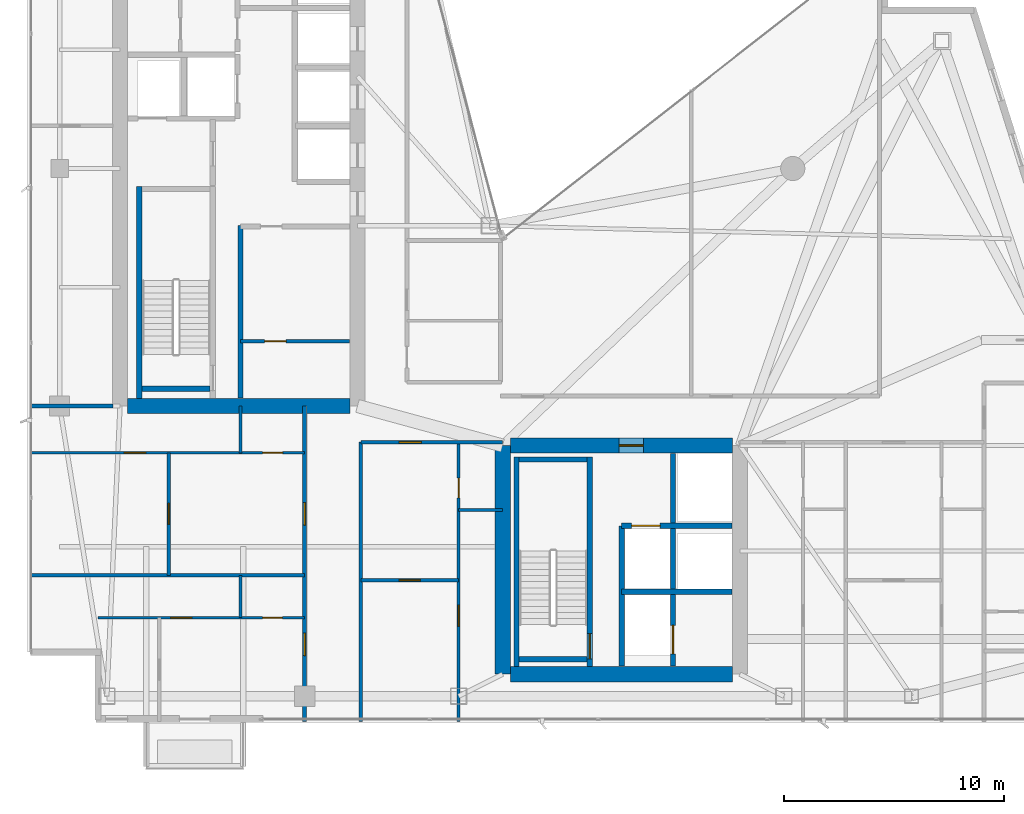
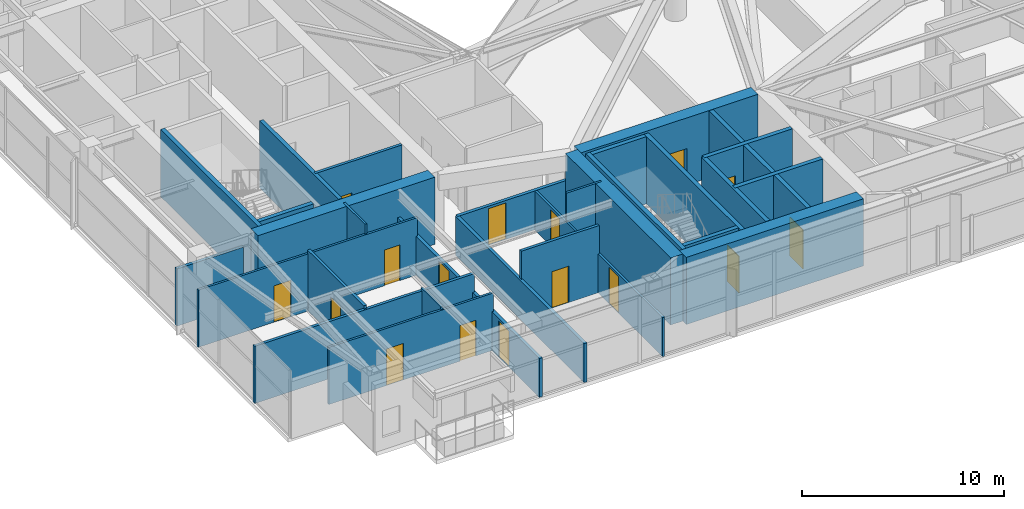
# One storey, part 23 of 29: 29 walls, 16 doors, 16 openings.
"""IFC4 building model written with IfcOpenShell, lengths in metres."""

from ifc_helpers import new_model, si_unit, direction, frame, frame_2d, origin, place, context, subcontext, project, spatial, rectangle, extrude, material, layer, layer_set, type_object, element, fill, save


model = new_model("IFC4")

# Units and contexts
model_context = context("Model", 3, precision=1e-05, world=origin(), true_north=direction((0.0, 1.0)))
body_context = subcontext(model_context, "Body", "Model", "MODEL_VIEW")
ifc_project = project(units=[si_unit("LENGTHUNIT", "METRE"), si_unit("AREAUNIT", "SQUARE_METRE"), si_unit("VOLUMEUNIT", "CUBIC_METRE"), si_unit("PLANEANGLEUNIT", "RADIAN"), si_unit("MASSUNIT", "GRAM", prefix="KILO")], contexts=[model_context])

# Site, building, storey
site_placement = place(None, origin())
site = spatial("IfcSite", under=ifc_project, at=site_placement, CompositionType="ELEMENT")
building_placement = place(site_placement, origin())
building = spatial("IfcBuilding", under=site, at=building_placement, Name="Calvorn Quay Hotel", CompositionType="ELEMENT")
storey_placement = place(building_placement, frame((0.0, 0.0, 214.800048828125)))
storey = spatial("IfcBuildingStorey", under=building, at=storey_placement, Name="L53", CompositionType="ELEMENT", Elevation=214.800048828125)

# Walls
ifc_material_1 = material(Name="Concrete C45", Category="concrete")
ifc_layer_1 = layer(ifc_material_1, 0.699951171875)
ifc_layer_set_1 = layer_set([ifc_layer_1], Name="WL-CORE-700")
wall_type_1 = type_object("IfcWallType", Name="WL-CORE-700", PredefinedType="SHEAR", material=ifc_layer_set_1)
wall_1_placement = place(storey_placement, frame((4.550048828125, 16.800048828125, 0.0), z_axis=(0.0, 0.0, 1.0), x_axis=(1.0, 0.0, 0.0)))
element("IfcWall", 1, at=wall_1_placement, inside=storey, type_object=wall_type_1, Name="West Core Shear Wall S (L53)", PredefinedType="SHEAR", context=body_context, shape_type="SweptSolid", body=[
    extrude(rectangle(XDim=10.099853515625, YDim=0.699951171875, at=frame_2d((5.0498046875, 0.0))), origin(), (0.0, 0.0, 1.0), 4.050048828125),
])
wall_2_placement = place(storey_placement, frame((21.60009765625, 4.60009765625, 0.0), z_axis=(0.0, 0.0, 1.0), x_axis=(0.0, 1.0, 0.0)))
element("IfcWall", 2, at=wall_2_placement, inside=storey, type_object=wall_type_1, Name="East Core Shear Wall W (L53)", PredefinedType="SHEAR", context=body_context, shape_type="SweptSolid", body=[
    extrude(rectangle(XDim=10.39990234375, YDim=0.699951171875, at=frame_2d((5.199951171875, 0.0))), origin(), (0.0, 0.0, 1.0), 4.050048828125),
])

# Wall, opening, door
wall_3_placement = place(storey_placement, frame((21.949951171875, 15.0, 0.0), z_axis=(0.0, 0.0, 1.0), x_axis=(1.0, 0.0, 0.0)))
wall_3 = element("IfcWall", 3, at=wall_3_placement, inside=storey, type_object=wall_type_1, Name="East Core Shear Wall N (L53)", PredefinedType="SHEAR", context=body_context, shape_type="SweptSolid", body=[
    extrude(rectangle(XDim=10.10009765625, YDim=0.699951171875, at=frame_2d((5.050048828125, 0.0))), origin(), (0.0, 0.0, 1.0), 4.050048828125),
])
opening_1_placement = place(wall_3_placement, frame((4.949951171875, 0.0, 0.0)))
opening_1 = element("IfcOpeningElement", 4, at=opening_1_placement, cuts=wall_3, Name="Opening D-L53-FLE", PredefinedType="OPENING", context=body_context, shape_type="SweptSolid", body=[
    extrude(rectangle(XDim=1.10009765625, YDim=2.199951171875, at=frame_2d((0.550048828125, 1.10009765625))), frame((0.0, 0.35986328125, 0.0), z_axis=(0.0, -1.0, 0.0), x_axis=(1.0, 0.0, 0.0)), (0.0, 0.0, 1.0), 0.719970703125),
])
ifc_material_2 = material(Name="Smoke-Sealed Steel Class A Fire Door", Category="steel")
door_type_1 = type_object("IfcDoorType", Name="DR-FFLOBBY-1100", OperationType="NOTDEFINED", PredefinedType="DOOR", material=ifc_material_2)
door_1_placement = place(opening_1_placement, origin())
door_1 = element("IfcDoor", 5, at=door_1_placement, inside=storey, type_object=door_type_1, Name="East Firefighting Lobby Fire Door (L53)", OperationType="SINGLE_SWING_LEFT", OverallHeight=2.199951171875, OverallWidth=1.10009765625, PredefinedType="DOOR", context=body_context, shape_type="SweptSolid", body=[
    extrude(rectangle(XDim=1.10009765625, YDim=2.199951171875, at=frame_2d((0.550048828125, 1.10009765625))), frame((0.0, 0.02490234375, 0.0), z_axis=(0.0, -1.0, 0.0), x_axis=(1.0, 0.0, 0.0)), (0.0, 0.0, 1.0), 0.050048828125),
])
fill(opening_1, door_1)

# Walls
wall_4_placement = place(storey_placement, frame((21.949951171875, 4.60009765625, 0.0), z_axis=(0.0, 0.0, 1.0), x_axis=(1.0, 0.0, 0.0)))
element("IfcWall", 6, at=wall_4_placement, inside=storey, type_object=wall_type_1, Name="East Core Shear Wall S (L53)", PredefinedType="SHEAR", context=body_context, shape_type="SweptSolid", body=[
    extrude(rectangle(XDim=10.10009765625, YDim=0.699951171875, at=frame_2d((5.050048828125, 0.0))), origin(), (0.0, 0.0, 1.0), 4.050048828125),
])
ifc_material_3 = material(Name="Acoustic Fireboard Steel-Stud Partition", Category="steel")
ifc_layer_2 = layer(ifc_material_3, 0.179931640625)
ifc_layer_set_2 = layer_set([ifc_layer_2], Name="WL-CORR-FIRE-180")
wall_type_2 = type_object("IfcWallType", Name="WL-CORR-FIRE-180", PredefinedType="PARTITIONING", material=ifc_layer_set_2)
wall_5_placement = place(storey_placement, frame((0.080078125, 16.800048828125, 0.0), z_axis=(0.0, 0.0, 1.0), x_axis=(1.0, 0.0, 0.0)))
element("IfcWall", 7, at=wall_5_placement, inside=storey, type_object=wall_type_2, Name="Partition Wall L53-WL-WBAY-S-WALL", PredefinedType="PARTITIONING", context=body_context, shape_type="SweptSolid", body=[
    extrude(rectangle(XDim=3.7998046875, YDim=0.179931640625, at=frame_2d((1.89990234375, 0.0))), origin(), (0.0, 0.0, 1.0), 3.449951171875),
])

# Wall, openings, doors
wall_6_placement = place(storey_placement, frame((12.60009765625, 2.43994140625, 0.0), z_axis=(0.0, 0.0, 1.0), x_axis=(0.0, 1.0, 0.0)))
wall_6 = element("IfcWall", 8, at=wall_6_placement, inside=storey, type_object=wall_type_2, Name="Partition Wall L53-WL-CORR-SW-LEG-W", PredefinedType="PARTITIONING", context=body_context, shape_type="SweptSolid", body=[
    extrude(rectangle(XDim=14.360107421875, YDim=0.179931640625, at=frame_2d((7.18017578125, 0.0))), origin(), (0.0, 0.0, 1.0), 2.349853515625),
])
opening_2_placement = place(wall_6_placement, frame((3.010009765625, 0.0, 0.0)))
opening_2 = element("IfcOpeningElement", 9, at=opening_2_placement, cuts=wall_6, Name="Opening D-L53-U01", PredefinedType="OPENING", context=body_context, shape_type="SweptSolid", body=[
    extrude(rectangle(XDim=1.02001953125, YDim=2.199951171875, at=frame_2d((0.510009765625, 1.10009765625))), frame((0.0, 0.099853515625, 0.0), z_axis=(0.0, -1.0, 0.0), x_axis=(1.0, 0.0, 0.0)), (0.0, 0.0, 1.0), 0.199951171875),
])
opening_3_placement = place(wall_6_placement, frame((8.93994140625, 0.0, 0.0)))
opening_3 = element("IfcOpeningElement", 10, at=opening_3_placement, cuts=wall_6, Name="Opening D-L53-U02", PredefinedType="OPENING", context=body_context, shape_type="SweptSolid", body=[
    extrude(rectangle(XDim=1.02001953125, YDim=2.199951171875, at=frame_2d((0.510009765625, 1.10009765625))), frame((0.0, 0.099853515625, 0.0), z_axis=(0.0, -1.0, 0.0), x_axis=(1.0, 0.0, 0.0)), (0.0, 0.0, 1.0), 0.199951171875),
])
ifc_material_4 = material(Name="Solid-Core Walnut Veneer Hotel Fire Door")
door_type_2 = type_object("IfcDoorType", Name="DR-GUEST-ENTRY-1020", OperationType="NOTDEFINED", PredefinedType="DOOR", material=ifc_material_4)
door_2_placement = place(opening_2_placement, origin())
door_2 = element("IfcDoor", 11, at=door_2_placement, inside=storey, type_object=door_type_2, Name="South-West Unit Door U01 (L53)", OperationType="SINGLE_SWING_LEFT", OverallHeight=2.199951171875, OverallWidth=1.02001953125, PredefinedType="DOOR", context=body_context, shape_type="SweptSolid", body=[
    extrude(rectangle(XDim=1.02001953125, YDim=2.199951171875, at=frame_2d((0.510009765625, 1.10009765625))), frame((0.0, 0.02490234375, 0.0), z_axis=(0.0, -1.0, 0.0), x_axis=(1.0, 0.0, 0.0)), (0.0, 0.0, 1.0), 0.050048828125),
])
fill(opening_2, door_2)
door_3_placement = place(opening_3_placement, origin())
door_3 = element("IfcDoor", 12, at=door_3_placement, inside=storey, type_object=door_type_2, Name="South-West Unit Door U02 (L53)", OperationType="SINGLE_SWING_RIGHT", OverallHeight=2.199951171875, OverallWidth=1.02001953125, PredefinedType="DOOR", context=body_context, shape_type="SweptSolid", body=[
    extrude(rectangle(XDim=1.02001953125, YDim=2.199951171875, at=frame_2d((0.510009765625, 1.10009765625))), frame((0.0, 0.02490234375, 0.0), z_axis=(0.0, -1.0, 0.0), x_axis=(1.0, 0.0, 0.0)), (0.0, 0.0, 1.0), 0.050048828125),
])
fill(opening_3, door_3)

# Wall
wall_7_placement = place(storey_placement, frame((15.14990234375, 2.43994140625, 0.0), z_axis=(0.0, 0.0, 1.0), x_axis=(0.0, 1.0, 0.0)))
element("IfcWall", 13, at=wall_7_placement, inside=storey, type_object=wall_type_2, Name="Partition Wall L53-WL-CORR-SW-W", PredefinedType="PARTITIONING", context=body_context, shape_type="SweptSolid", body=[
    extrude(rectangle(XDim=12.7099609375, YDim=0.179931640625, at=frame_2d((6.35498046875, 0.0))), origin(), (0.0, 0.0, 1.0), 2.349853515625),
])

# Wall, opening, door
wall_8_placement = place(storey_placement, frame((15.14990234375, 15.14990234375, 0.0), z_axis=(0.0, 0.0, 1.0), x_axis=(1.0, 0.0, 0.0)))
wall_8 = element("IfcWall", 14, at=wall_8_placement, inside=storey, type_object=wall_type_2, Name="Partition Wall L53-WL-SC-CORR-S", PredefinedType="PARTITIONING", context=body_context, shape_type="SweptSolid", body=[
    extrude(rectangle(XDim=6.4501953125, YDim=0.179931640625, at=frame_2d((3.22509765625, 0.0))), origin(), (0.0, 0.0, 1.0), 2.349853515625),
])
opening_4_placement = place(wall_8_placement, frame((1.739990234375, 0.0, 0.0)))
opening_4 = element("IfcOpeningElement", 15, at=opening_4_placement, cuts=wall_8, Name="Opening D-L53-U03", PredefinedType="OPENING", context=body_context, shape_type="SweptSolid", body=[
    extrude(rectangle(XDim=1.02001953125, YDim=2.199951171875, at=frame_2d((0.510009765625, 1.10009765625))), frame((0.0, 0.099853515625, 0.0), z_axis=(0.0, -1.0, 0.0), x_axis=(1.0, 0.0, 0.0)), (0.0, 0.0, 1.0), 0.199951171875),
])
door_4_placement = place(opening_4_placement, origin())
door_4 = element("IfcDoor", 16, at=door_4_placement, inside=storey, type_object=door_type_2, Name="Harbour Central Unit Door (L53)", OperationType="SINGLE_SWING_LEFT", OverallHeight=2.199951171875, OverallWidth=1.02001953125, PredefinedType="DOOR", context=body_context, shape_type="SweptSolid", body=[
    extrude(rectangle(XDim=1.02001953125, YDim=2.199951171875, at=frame_2d((0.510009765625, 1.10009765625))), frame((0.0, 0.02490234375, 0.0), z_axis=(0.0, -1.0, 0.0), x_axis=(1.0, 0.0, 0.0)), (0.0, 0.0, 1.0), 0.050048828125),
])
fill(opening_4, door_4)

# Wall
ifc_material_5 = material(Name="Moisture-Resistant Tile-Backed Partition")
ifc_layer_3 = layer(ifc_material_5, 0.125)
ifc_layer_set_3 = layer_set([ifc_layer_3], Name="WL-ENSUITE-125")
wall_type_3 = type_object("IfcWallType", Name="WL-ENSUITE-125", PredefinedType="PARTITIONING", material=ifc_layer_set_3)
wall_9_placement = place(storey_placement, frame((9.679931640625, 7.169921875, 0.0), z_axis=(0.0, 0.0, 1.0), x_axis=(0.0, 1.0, 0.0)))
element("IfcWall", 17, at=wall_9_placement, inside=storey, type_object=wall_type_3, Name="Partition Wall L53-WL-U01-BDV", PredefinedType="PARTITIONING", context=body_context, shape_type="SweptSolid", body=[
    extrude(rectangle(XDim=1.93017578125, YDim=0.125, at=frame_2d((0.965087890625, 0.0))), origin(), (0.0, 0.0, 1.0), 3.599853515625),
])

# Wall, openings, doors
wall_10_placement = place(storey_placement, frame((3.199951171875, 7.169921875, 0.0), z_axis=(0.0, 0.0, 1.0), x_axis=(1.0, 0.0, 0.0)))
wall_10 = element("IfcWall", 18, at=wall_10_placement, inside=storey, type_object=wall_type_3, Name="Partition Wall L53-WL-U01-BH", PredefinedType="PARTITIONING", context=body_context, shape_type="SweptSolid", body=[
    extrude(rectangle(XDim=9.400146484375, YDim=0.125, at=frame_2d((4.7001953125, 0.0))), origin(), (0.0, 0.0, 1.0), 3.449951171875),
])
opening_5_placement = place(wall_10_placement, frame((3.300048828125, 0.0, 0.0)))
opening_5 = element("IfcOpeningElement", 19, at=opening_5_placement, cuts=wall_10, Name="Opening D-L53-S01", PredefinedType="OPENING", context=body_context, shape_type="SweptSolid", body=[
    extrude(rectangle(XDim=0.9599609375, YDim=2.199951171875, at=frame_2d((0.47998046875, 1.10009765625))), frame((0.0, 0.072509765625, 0.0), z_axis=(0.0, -1.0, 0.0), x_axis=(1.0, 0.0, 0.0)), (0.0, 0.0, 1.0), 0.14501953125),
])
opening_6_placement = place(wall_10_placement, frame((7.489990234375, 0.0, 0.0)))
opening_6 = element("IfcOpeningElement", 20, at=opening_6_placement, cuts=wall_10, Name="Opening D-L53-E01", PredefinedType="OPENING", context=body_context, shape_type="SweptSolid", body=[
    extrude(rectangle(XDim=0.89990234375, YDim=2.14990234375, at=frame_2d((0.449951171875, 1.074951171875))), frame((0.0, 0.072509765625, 0.0), z_axis=(0.0, -1.0, 0.0), x_axis=(1.0, 0.0, 0.0)), (0.0, 0.0, 1.0), 0.14501953125),
])
ifc_material_6 = material(Name="Moisture-Sealed Timber En-Suite Door", Category="wood")
door_type_3 = type_object("IfcDoorType", Name="DR-ENSUITE-900", OperationType="NOTDEFINED", PredefinedType="DOOR", material=ifc_material_6)
door_5_placement = place(opening_6_placement, origin())
door_5 = element("IfcDoor", 21, at=door_5_placement, inside=storey, type_object=door_type_3, Name="En-Suite Door 01", OperationType="SINGLE_SWING_RIGHT", OverallHeight=2.14990234375, OverallWidth=0.89990234375, PredefinedType="DOOR", context=body_context, shape_type="SweptSolid", body=[
    extrude(rectangle(XDim=0.89990234375, YDim=2.14990234375, at=frame_2d((0.449951171875, 1.074951171875))), frame((0.0, 0.02490234375, 0.0), z_axis=(0.0, -1.0, 0.0), x_axis=(1.0, 0.0, 0.0)), (0.0, 0.0, 1.0), 0.050048828125),
])
fill(opening_6, door_5)
ifc_material_7 = material(Name="Solid Timber Internal Suite Door", Category="wood")
door_type_4 = type_object("IfcDoorType", Name="DR-SUITE-INT-960", OperationType="NOTDEFINED", PredefinedType="DOOR", material=ifc_material_7)
door_6_placement = place(opening_5_placement, origin())
door_6 = element("IfcDoor", 22, at=door_6_placement, inside=storey, type_object=door_type_4, Name="Walk-In Wardrobe Door 01", OperationType="SINGLE_SWING_LEFT", OverallHeight=2.199951171875, OverallWidth=0.9599609375, PredefinedType="DOOR", context=body_context, shape_type="SweptSolid", body=[
    extrude(rectangle(XDim=0.9599609375, YDim=2.199951171875, at=frame_2d((0.47998046875, 1.10009765625))), frame((0.0, 0.02490234375, 0.0), z_axis=(0.0, -1.0, 0.0), x_axis=(1.0, 0.0, 0.0)), (0.0, 0.0, 1.0), 0.050048828125),
])
fill(opening_5, door_6)

# Wall
wall_11_placement = place(storey_placement, frame((9.679931640625, 14.669921875, 0.0), z_axis=(0.0, 0.0, 1.0), x_axis=(0.0, 1.0, 0.0)))
element("IfcWall", 23, at=wall_11_placement, inside=storey, type_object=wall_type_3, Name="Partition Wall L53-WL-U02-BDV", PredefinedType="PARTITIONING", context=body_context, shape_type="SweptSolid", body=[
    extrude(rectangle(XDim=2.130126953125, YDim=0.125, at=frame_2d((1.06494140625, 0.0))), origin(), (0.0, 0.0, 1.0), 4.050048828125),
])

# Wall, openings, doors
wall_12_placement = place(storey_placement, frame((0.080078125, 14.669921875, 0.0), z_axis=(0.0, 0.0, 1.0), x_axis=(1.0, 0.0, 0.0)))
wall_12 = element("IfcWall", 24, at=wall_12_placement, inside=storey, type_object=wall_type_3, Name="Partition Wall L53-WL-U02-BH", PredefinedType="PARTITIONING", context=body_context, shape_type="SweptSolid", body=[
    extrude(rectangle(XDim=12.52001953125, YDim=0.125, at=frame_2d((6.260009765625, 0.0))), origin(), (0.0, 0.0, 1.0), 3.449951171875),
])
opening_7_placement = place(wall_12_placement, frame((4.320068359375, 0.0, 0.0)))
opening_7 = element("IfcOpeningElement", 25, at=opening_7_placement, cuts=wall_12, Name="Opening D-L53-S02", PredefinedType="OPENING", context=body_context, shape_type="SweptSolid", body=[
    extrude(rectangle(XDim=0.9599609375, YDim=2.199951171875, at=frame_2d((0.47998046875, 1.10009765625))), frame((0.0, 0.072509765625, 0.0), z_axis=(0.0, -1.0, 0.0), x_axis=(1.0, 0.0, 0.0)), (0.0, 0.0, 1.0), 0.14501953125),
])
opening_8_placement = place(wall_12_placement, frame((10.610107421875, 0.0, 0.0)))
opening_8 = element("IfcOpeningElement", 26, at=opening_8_placement, cuts=wall_12, Name="Opening D-L53-E02", PredefinedType="OPENING", context=body_context, shape_type="SweptSolid", body=[
    extrude(rectangle(XDim=0.89990234375, YDim=2.14990234375, at=frame_2d((0.449951171875, 1.074951171875))), frame((0.0, 0.072509765625, 0.0), z_axis=(0.0, -1.0, 0.0), x_axis=(1.0, 0.0, 0.0)), (0.0, 0.0, 1.0), 0.14501953125),
])
door_7_placement = place(opening_8_placement, origin())
door_7 = element("IfcDoor", 27, at=door_7_placement, inside=storey, type_object=door_type_3, Name="En-Suite Door 02", OperationType="SINGLE_SWING_RIGHT", OverallHeight=2.14990234375, OverallWidth=0.89990234375, PredefinedType="DOOR", context=body_context, shape_type="SweptSolid", body=[
    extrude(rectangle(XDim=0.89990234375, YDim=2.14990234375, at=frame_2d((0.449951171875, 1.074951171875))), frame((0.0, 0.02490234375, 0.0), z_axis=(0.0, -1.0, 0.0), x_axis=(1.0, 0.0, 0.0)), (0.0, 0.0, 1.0), 0.050048828125),
])
fill(opening_8, door_7)
door_8_placement = place(opening_7_placement, origin())
door_8 = element("IfcDoor", 28, at=door_8_placement, inside=storey, type_object=door_type_4, Name="Walk-In Wardrobe Door 02", OperationType="SINGLE_SWING_LEFT", OverallHeight=2.199951171875, OverallWidth=0.9599609375, PredefinedType="DOOR", context=body_context, shape_type="SweptSolid", body=[
    extrude(rectangle(XDim=0.9599609375, YDim=2.199951171875, at=frame_2d((0.47998046875, 1.10009765625))), frame((0.0, 0.02490234375, 0.0), z_axis=(0.0, -1.0, 0.0), x_axis=(1.0, 0.0, 0.0)), (0.0, 0.0, 1.0), 0.050048828125),
])
fill(opening_7, door_8)

# Wall
wall_13_placement = place(storey_placement, frame((19.60009765625, 12.070068359375, 0.0), z_axis=(0.0, 0.0, 1.0), x_axis=(1.0, 0.0, 0.0)))
element("IfcWall", 29, at=wall_13_placement, inside=storey, type_object=wall_type_3, Name="Partition Wall L53-WL-U03-BDV", PredefinedType="PARTITIONING", context=body_context, shape_type="SweptSolid", body=[
    extrude(rectangle(XDim=2.0, YDim=0.125, at=frame_2d((1.0, 0.0))), origin(), (0.0, 0.0, 1.0), 4.050048828125),
])

# Wall, openings, doors
wall_14_placement = place(storey_placement, frame((19.60009765625, 2.43994140625, 0.0), z_axis=(0.0, 0.0, 1.0), x_axis=(0.0, 1.0, 0.0)))
wall_14 = element("IfcWall", 30, at=wall_14_placement, inside=storey, type_object=wall_type_3, Name="Partition Wall L53-WL-U03-BV", PredefinedType="PARTITIONING", context=body_context, shape_type="SweptSolid", body=[
    extrude(rectangle(XDim=12.7099609375, YDim=0.125, at=frame_2d((6.35498046875, 0.0))), origin(), (0.0, 0.0, 1.0), 2.349853515625),
])
opening_9_placement = place(wall_14_placement, frame((4.340087890625, 0.0, 0.0)))
opening_9 = element("IfcOpeningElement", 31, at=opening_9_placement, cuts=wall_14, Name="Opening D-L53-S03", PredefinedType="OPENING", context=body_context, shape_type="SweptSolid", body=[
    extrude(rectangle(XDim=0.9599609375, YDim=2.199951171875, at=frame_2d((0.47998046875, 1.10009765625))), frame((0.0, 0.072509765625, 0.0), z_axis=(0.0, -1.0, 0.0), x_axis=(1.0, 0.0, 0.0)), (0.0, 0.0, 1.0), 0.14501953125),
])
opening_10_placement = place(wall_14_placement, frame((10.179931640625, 0.0, 0.0)))
opening_10 = element("IfcOpeningElement", 32, at=opening_10_placement, cuts=wall_14, Name="Opening D-L53-E03", PredefinedType="OPENING", context=body_context, shape_type="SweptSolid", body=[
    extrude(rectangle(XDim=0.89990234375, YDim=2.14990234375, at=frame_2d((0.449951171875, 1.074951171875))), frame((0.0, 0.072509765625, 0.0), z_axis=(0.0, -1.0, 0.0), x_axis=(1.0, 0.0, 0.0)), (0.0, 0.0, 1.0), 0.14501953125),
])
door_9_placement = place(opening_10_placement, origin())
door_9 = element("IfcDoor", 33, at=door_9_placement, inside=storey, type_object=door_type_3, Name="En-Suite Door 03", OperationType="SINGLE_SWING_RIGHT", OverallHeight=2.14990234375, OverallWidth=0.89990234375, PredefinedType="DOOR", context=body_context, shape_type="SweptSolid", body=[
    extrude(rectangle(XDim=0.89990234375, YDim=2.14990234375, at=frame_2d((0.449951171875, 1.074951171875))), frame((0.0, 0.02490234375, 0.0), z_axis=(0.0, -1.0, 0.0), x_axis=(1.0, 0.0, 0.0)), (0.0, 0.0, 1.0), 0.050048828125),
])
fill(opening_10, door_9)
door_10_placement = place(opening_9_placement, origin())
door_10 = element("IfcDoor", 34, at=door_10_placement, inside=storey, type_object=door_type_4, Name="Walk-In Wardrobe Door 03", OperationType="SINGLE_SWING_LEFT", OverallHeight=2.199951171875, OverallWidth=0.9599609375, PredefinedType="DOOR", context=body_context, shape_type="SweptSolid", body=[
    extrude(rectangle(XDim=0.9599609375, YDim=2.199951171875, at=frame_2d((0.47998046875, 1.10009765625))), frame((0.0, 0.02490234375, 0.0), z_axis=(0.0, -1.0, 0.0), x_axis=(1.0, 0.0, 0.0)), (0.0, 0.0, 1.0), 0.050048828125),
])
fill(opening_9, door_10)

# Wall, opening, door
ifc_material_8 = material(Name="Double-Stud Acoustic Gypsum Partition")
ifc_layer_4 = layer(ifc_material_8, 0.159912109375)
ifc_layer_set_4 = layer_set([ifc_layer_4], Name="WL-INTERSUITE-160")
wall_type_4 = type_object("IfcWallType", Name="WL-INTERSUITE-160", PredefinedType="PARTITIONING", material=ifc_layer_set_4)
wall_15_placement = place(storey_placement, frame((9.679931640625, 19.75, 0.0), z_axis=(0.0, 0.0, 1.0), x_axis=(1.0, 0.0, 0.0)))
wall_15 = element("IfcWall", 35, at=wall_15_placement, inside=storey, type_object=wall_type_4, Name="Partition Wall L53-WL-CWW-FR-SPLIT", PredefinedType="PARTITIONING", context=body_context, shape_type="SweptSolid", body=[
    extrude(rectangle(XDim=4.949951171875, YDim=0.159912109375, at=frame_2d((2.47509765625, 0.0))), origin(), (0.0, 0.0, 1.0), 4.050048828125),
])
opening_11_placement = place(wall_15_placement, frame((1.10009765625, 0.0, 0.0)))
opening_11 = element("IfcOpeningElement", 36, at=opening_11_placement, cuts=wall_15, Name="Opening D-L53-FRL1", PredefinedType="OPENING", context=body_context, shape_type="SweptSolid", body=[
    extrude(rectangle(XDim=0.97998046875, YDim=2.14990234375, at=frame_2d((0.489990234375, 1.074951171875))), frame((0.0, 0.08984375, 0.0), z_axis=(0.0, -1.0, 0.0), x_axis=(1.0, 0.0, 0.0)), (0.0, 0.0, 1.0), 0.179931640625),
])
ifc_material_9 = material(Name="Painted Steel Housekeeping/Riser Fire Door", Category="steel")
door_type_5 = type_object("IfcDoorType", Name="DR-SERVICE-980", OperationType="NOTDEFINED", PredefinedType="DOOR", material=ifc_material_9)
door_11_placement = place(opening_11_placement, origin())
door_11 = element("IfcDoor", 37, at=door_11_placement, inside=storey, type_object=door_type_5, Name="Linen Store Room Door (L53)", OperationType="SINGLE_SWING_LEFT", OverallHeight=2.14990234375, OverallWidth=0.97998046875, PredefinedType="DOOR", context=body_context, shape_type="SweptSolid", body=[
    extrude(rectangle(XDim=0.97998046875, YDim=2.14990234375, at=frame_2d((0.489990234375, 1.074951171875))), frame((0.0, 0.02490234375, 0.0), z_axis=(0.0, -1.0, 0.0), x_axis=(1.0, 0.0, 0.0)), (0.0, 0.0, 1.0), 0.050048828125),
])
fill(opening_11, door_11)

wall_16_placement = place(storey_placement, frame((6.419921875, 9.10009765625, 0.0), z_axis=(0.0, 0.0, 1.0), x_axis=(0.0, 1.0, 0.0)))
wall_16 = element("IfcWall", 38, at=wall_16_placement, inside=storey, type_object=wall_type_4, Name="Partition Wall L53-WL-U02-MSP", PredefinedType="PARTITIONING", context=body_context, shape_type="SweptSolid", body=[
    extrude(rectangle(XDim=5.56982421875, YDim=0.159912109375, at=frame_2d((2.784912109375, 0.0))), origin(), (0.0, 0.0, 1.0), 3.64990234375),
])
opening_12_placement = place(wall_16_placement, frame((2.31005859375, 0.0, 0.0)))
opening_12 = element("IfcOpeningElement", 39, at=opening_12_placement, cuts=wall_16, Name="Opening D-L53-M02", PredefinedType="OPENING", context=body_context, shape_type="SweptSolid", body=[
    extrude(rectangle(XDim=0.9599609375, YDim=2.199951171875, at=frame_2d((0.47998046875, 1.10009765625))), frame((0.0, 0.08984375, 0.0), z_axis=(0.0, -1.0, 0.0), x_axis=(1.0, 0.0, 0.0)), (0.0, 0.0, 1.0), 0.179931640625),
])
door_12_placement = place(opening_12_placement, origin())
door_12 = element("IfcDoor", 40, at=door_12_placement, inside=storey, type_object=door_type_4, Name="Suite Bedroom Door 02", OperationType="SINGLE_SWING_LEFT", OverallHeight=2.199951171875, OverallWidth=0.9599609375, PredefinedType="DOOR", context=body_context, shape_type="SweptSolid", body=[
    extrude(rectangle(XDim=0.9599609375, YDim=2.199951171875, at=frame_2d((0.47998046875, 1.10009765625))), frame((0.0, 0.02490234375, 0.0), z_axis=(0.0, -1.0, 0.0), x_axis=(1.0, 0.0, 0.0)), (0.0, 0.0, 1.0), 0.050048828125),
])
fill(opening_12, door_12)

# Wall
wall_17_placement = place(storey_placement, frame((0.080078125, 9.10009765625, 0.0), z_axis=(0.0, 0.0, 1.0), x_axis=(1.0, 0.0, 0.0)))
element("IfcWall", 41, at=wall_17_placement, inside=storey, type_object=wall_type_4, Name="Partition Wall L53-WL-SW-DIV-1", PredefinedType="PARTITIONING", context=body_context, shape_type="SweptSolid", body=[
    extrude(rectangle(XDim=12.52001953125, YDim=0.159912109375, at=frame_2d((6.260009765625, 0.0))), origin(), (0.0, 0.0, 1.0), 3.449951171875),
])

# Wall, opening, door
wall_18_placement = place(storey_placement, frame((15.14990234375, 8.8701171875, 0.0), z_axis=(0.0, 0.0, 1.0), x_axis=(1.0, 0.0, 0.0)))
wall_18 = element("IfcWall", 42, at=wall_18_placement, inside=storey, type_object=wall_type_4, Name="Partition Wall L53-WL-U03-MSP", PredefinedType="PARTITIONING", context=body_context, shape_type="SweptSolid", body=[
    extrude(rectangle(XDim=4.4501953125, YDim=0.159912109375, at=frame_2d((2.22509765625, 0.0))), origin(), (0.0, 0.0, 1.0), 4.050048828125),
])
opening_13_placement = place(wall_18_placement, frame((1.75, 0.0, 0.0)))
opening_13 = element("IfcOpeningElement", 43, at=opening_13_placement, cuts=wall_18, Name="Opening D-L53-M03", PredefinedType="OPENING", context=body_context, shape_type="SweptSolid", body=[
    extrude(rectangle(XDim=0.9599609375, YDim=2.199951171875, at=frame_2d((0.47998046875, 1.10009765625))), frame((0.0, 0.08984375, 0.0), z_axis=(0.0, -1.0, 0.0), x_axis=(1.0, 0.0, 0.0)), (0.0, 0.0, 1.0), 0.179931640625),
])
door_13_placement = place(opening_13_placement, origin())
door_13 = element("IfcDoor", 44, at=door_13_placement, inside=storey, type_object=door_type_4, Name="Suite Bedroom Door 03", OperationType="SINGLE_SWING_LEFT", OverallHeight=2.199951171875, OverallWidth=0.9599609375, PredefinedType="DOOR", context=body_context, shape_type="SweptSolid", body=[
    extrude(rectangle(XDim=0.9599609375, YDim=2.199951171875, at=frame_2d((0.47998046875, 1.10009765625))), frame((0.0, 0.02490234375, 0.0), z_axis=(0.0, -1.0, 0.0), x_axis=(1.0, 0.0, 0.0)), (0.0, 0.0, 1.0), 0.050048828125),
])
fill(opening_13, door_13)

# Walls
ifc_material_10 = material(Name="Autoclaved Aerated Masonry Block", Category="masonry")
ifc_layer_5 = layer(ifc_material_10, 0.219970703125)
ifc_layer_set_5 = layer_set([ifc_layer_5], Name="WL-LOBBY-FIRE-220")
wall_type_5 = type_object("IfcWallType", Name="WL-LOBBY-FIRE-220", PredefinedType="SOLIDWALL", material=ifc_layer_set_5)
wall_19_placement = place(storey_placement, frame((9.679931640625, 17.169921875, 0.0), z_axis=(0.0, 0.0, 1.0), x_axis=(0.0, 1.0, 0.0)))
element("IfcWall", 45, at=wall_19_placement, inside=storey, type_object=wall_type_5, Name="Partition Wall L53-WL-CWW-STW-HALL-E", PredefinedType="SOLIDWALL", context=body_context, shape_type="SweptSolid", body=[
    extrude(rectangle(XDim=7.830078125, YDim=0.219970703125, at=frame_2d((3.9150390625, 0.0))), origin(), (0.0, 0.0, 1.0), 4.050048828125),
])
ifc_material_11 = material(Name="Concrete C40", Category="concrete")
ifc_layer_6 = layer(ifc_material_11, 0.239990234375)
ifc_layer_set_6 = layer_set([ifc_layer_6], Name="WL-SHAFT-240")
wall_type_6 = type_object("IfcWallType", Name="WL-SHAFT-240", PredefinedType="SOLIDWALL", material=ifc_layer_set_6)
wall_20_placement = place(storey_placement, frame((5.080078125, 17.14990234375, 0.0), z_axis=(0.0, 0.0, 1.0), x_axis=(0.0, 1.0, 0.0)))
element("IfcWall", 46, at=wall_20_placement, inside=storey, type_object=wall_type_6, Name="Stair STW Shaft Wall W (L53)", PredefinedType="SOLIDWALL", context=body_context, shape_type="SweptSolid", body=[
    extrude(rectangle(XDim=9.64013671875, YDim=0.239990234375, at=frame_2d((4.820068359375, 0.0))), origin(), (0.0, 0.0, 1.0), 4.050048828125),
])
wall_21_placement = place(storey_placement, frame((5.199951171875, 17.580078125, 0.0), z_axis=(0.0, 0.0, 1.0), x_axis=(1.0, 0.0, 0.0)))
element("IfcWall", 47, at=wall_21_placement, inside=storey, type_object=wall_type_6, Name="Stair STW Shaft Wall S (L53)", PredefinedType="SOLIDWALL", context=body_context, shape_type="SweptSolid", body=[
    extrude(rectangle(XDim=3.10009765625, YDim=0.239990234375, at=frame_2d((1.550048828125, 0.0))), origin(), (0.0, 0.0, 1.0), 4.050048828125),
])
wall_22_placement = place(storey_placement, frame((22.22998046875, 4.949951171875, 0.0), z_axis=(0.0, 0.0, 1.0), x_axis=(0.0, 1.0, 0.0)))
element("IfcWall", 48, at=wall_22_placement, inside=storey, type_object=wall_type_6, Name="Stair STE Shaft Wall W (L53)", PredefinedType="SOLIDWALL", context=body_context, shape_type="SweptSolid", body=[
    extrude(rectangle(XDim=9.5400390625, YDim=0.239990234375, at=frame_2d((4.77001953125, 0.0))), origin(), (0.0, 0.0, 1.0), 4.050048828125),
])

# Wall, opening, door
wall_23_placement = place(storey_placement, frame((25.570068359375, 4.949951171875, 0.0), z_axis=(0.0, 0.0, 1.0), x_axis=(0.0, 1.0, 0.0)))
wall_23 = element("IfcWall", 49, at=wall_23_placement, inside=storey, type_object=wall_type_6, Name="Stair STE Shaft Wall E (L53)", PredefinedType="SOLIDWALL", context=body_context, shape_type="SweptSolid", body=[
    extrude(rectangle(XDim=9.5400390625, YDim=0.239990234375, at=frame_2d((4.77001953125, 0.0))), origin(), (0.0, 0.0, 1.0), 4.050048828125),
])
opening_14_placement = place(wall_23_placement, frame((0.35009765625, 0.0, 0.0)))
opening_14 = element("IfcOpeningElement", 50, at=opening_14_placement, cuts=wall_23, Name="Opening D-L53-STE", PredefinedType="OPENING", context=body_context, shape_type="SweptSolid", body=[
    extrude(rectangle(XDim=1.14990234375, YDim=2.199951171875, at=frame_2d((0.574951171875, 1.10009765625))), frame((0.0, 0.1298828125, 0.0), z_axis=(0.0, -1.0, 0.0), x_axis=(1.0, 0.0, 0.0)), (0.0, 0.0, 1.0), 0.260009765625),
])
ifc_material_12 = material(Name="Galvanised Steel Class A Fire Door", Category="steel")
door_type_6 = type_object("IfcDoorType", Name="DR-STAIR-SMOKE-1150", OperationType="NOTDEFINED", PredefinedType="DOOR", material=ifc_material_12)
door_14_placement = place(opening_14_placement, origin())
door_14 = element("IfcDoor", 51, at=door_14_placement, inside=storey, type_object=door_type_6, Name="Stair ST-E Fire Door (L53)", OperationType="SINGLE_SWING_RIGHT", OverallHeight=2.199951171875, OverallWidth=1.14990234375, PredefinedType="DOOR", context=body_context, shape_type="SweptSolid", body=[
    extrude(rectangle(XDim=1.14990234375, YDim=2.199951171875, at=frame_2d((0.574951171875, 1.10009765625))), frame((0.0, 0.02490234375, 0.0), z_axis=(0.0, -1.0, 0.0), x_axis=(1.0, 0.0, 0.0)), (0.0, 0.0, 1.0), 0.050048828125),
])
fill(opening_14, door_14)

# Walls
for number, where, z_axis, x_axis, name in (
    (52, (22.35009765625, 5.280029296875, 0.0), (0.0, 0.0, 1.0), (1.0, 0.0, 0.0), "Stair STE Shaft Wall S (L53)"),
    (53, (22.35009765625, 14.3701171875, 0.0), (0.0, 0.0, 1.0), (1.0, 0.0, 0.0), "Stair STE Shaft Wall N (L53)"),
):
    element("IfcWall", number, at=place(storey_placement, frame(where, z_axis=z_axis, x_axis=x_axis)), inside=storey, type_object=wall_type_6, Name=name, PredefinedType="SOLIDWALL", context=body_context, shape_type="SweptSolid", body=[
        extrude(rectangle(XDim=3.099853515625, YDim=0.239990234375, at=frame_2d((1.5498046875, 0.0))), origin(), (0.0, 0.0, 1.0), 4.050048828125),
    ])
wall_24_placement = place(storey_placement, frame((27.02001953125, 4.969970703125, 0.0), z_axis=(0.0, 0.0, 1.0), x_axis=(0.0, 1.0, 0.0)))
element("IfcWall", 54, at=wall_24_placement, inside=storey, type_object=wall_type_6, Name="Partition Wall L53-WL-CWE-SH-W", PredefinedType="SOLIDWALL", context=body_context, shape_type="SweptSolid", body=[
    extrude(rectangle(XDim=6.380126953125, YDim=0.239990234375, at=frame_2d((3.18994140625, 0.0))), origin(), (0.0, 0.0, 1.0), 4.050048828125),
])

# Wall, opening, door
wall_25_placement = place(storey_placement, frame((27.02001953125, 11.35009765625, 0.0), z_axis=(0.0, 0.0, 1.0), x_axis=(1.0, 0.0, 0.0)))
wall_25 = element("IfcWall", 55, at=wall_25_placement, inside=storey, type_object=wall_type_6, Name="Partition Wall L53-WL-CWE-FFL-S", PredefinedType="SOLIDWALL", context=body_context, shape_type="SweptSolid", body=[
    extrude(rectangle(XDim=5.010009765625, YDim=0.239990234375, at=frame_2d((2.5048828125, 0.0))), origin(), (0.0, 0.0, 1.0), 4.050048828125),
])
opening_15_placement = place(wall_25_placement, frame((0.449951171875, 0.0, 0.0)))
opening_15 = element("IfcOpeningElement", 56, at=opening_15_placement, cuts=wall_25, Name="Opening LD-L53-FLE1", PredefinedType="OPENING", context=body_context, shape_type="SweptSolid", body=[
    extrude(rectangle(XDim=1.300048828125, YDim=2.35009765625, at=frame_2d((0.64990234375, 1.175048828125))), frame((0.0, 0.1298828125, 0.0), z_axis=(0.0, -1.0, 0.0), x_axis=(1.0, 0.0, 0.0)), (0.0, 0.0, 1.0), 0.260009765625),
])
ifc_material_13 = material(Name="Champagne-Bronze Sliding Express Lift Landing Door")
door_type_7 = type_object("IfcDoorType", Name="DR-LIFT-SHUTTLE-1300", OperationType="NOTDEFINED", PredefinedType="DOOR", material=ifc_material_13)
door_15_placement = place(opening_15_placement, origin())
door_15 = element("IfcDoor", 57, at=door_15_placement, inside=storey, type_object=door_type_7, Name="Firefighting Lift FL-E1 Landing Door (L53)", OperationType="DOUBLE_DOOR_SLIDING", OverallHeight=2.35009765625, OverallWidth=1.300048828125, PredefinedType="DOOR", context=body_context, shape_type="SweptSolid", body=[
    extrude(rectangle(XDim=1.300048828125, YDim=2.35009765625, at=frame_2d((0.64990234375, 1.175048828125))), frame((0.0, 0.02490234375, 0.0), z_axis=(0.0, -1.0, 0.0), x_axis=(1.0, 0.0, 0.0)), (0.0, 0.0, 1.0), 0.050048828125),
])
fill(opening_15, door_15)

# Wall
wall_26_placement = place(storey_placement, frame((27.02001953125, 8.35009765625, 0.0), z_axis=(0.0, 0.0, 1.0), x_axis=(1.0, 0.0, 0.0)))
element("IfcWall", 58, at=wall_26_placement, inside=storey, type_object=wall_type_6, Name="Partition Wall L53-WL-CWE-SL-N", PredefinedType="SOLIDWALL", context=body_context, shape_type="SweptSolid", body=[
    extrude(rectangle(XDim=5.010009765625, YDim=0.239990234375, at=frame_2d((2.5048828125, 0.0))), origin(), (0.0, 0.0, 1.0), 4.050048828125),
])

# Wall, opening, door
wall_27_placement = place(storey_placement, frame((29.35009765625, 4.969970703125, 0.0), z_axis=(0.0, 0.0, 1.0), x_axis=(0.0, 1.0, 0.0)))
wall_27 = element("IfcWall", 59, at=wall_27_placement, inside=storey, type_object=wall_type_6, Name="Partition Wall L53-WL-CWE-OB-W", PredefinedType="SOLIDWALL", context=body_context, shape_type="SweptSolid", body=[
    extrude(rectangle(XDim=9.659912109375, YDim=0.239990234375, at=frame_2d((4.830078125, 0.0))), origin(), (0.0, 0.0, 1.0), 4.050048828125),
])
opening_16_placement = place(wall_27_placement, frame((0.550048828125, 0.0, 0.0)))
opening_16 = element("IfcOpeningElement", 60, at=opening_16_placement, cuts=wall_27, Name="Opening LD-L53-SLEI", PredefinedType="OPENING", context=body_context, shape_type="SweptSolid", body=[
    extrude(rectangle(XDim=1.300048828125, YDim=2.35009765625, at=frame_2d((0.64990234375, 1.175048828125))), frame((0.0, 0.1298828125, 0.0), z_axis=(0.0, -1.0, 0.0), x_axis=(1.0, 0.0, 0.0)), (0.0, 0.0, 1.0), 0.260009765625),
])
door_16_placement = place(opening_16_placement, origin())
door_16 = element("IfcDoor", 61, at=door_16_placement, inside=storey, type_object=door_type_7, Name="Service Lift SL-E1 Landing Door (L53)", OperationType="DOUBLE_DOOR_SLIDING", OverallHeight=2.35009765625, OverallWidth=1.300048828125, PredefinedType="DOOR", context=body_context, shape_type="SweptSolid", body=[
    extrude(rectangle(XDim=1.300048828125, YDim=2.35009765625, at=frame_2d((0.64990234375, 1.175048828125))), frame((0.0, 0.02490234375, 0.0), z_axis=(0.0, -1.0, 0.0), x_axis=(1.0, 0.0, 0.0)), (0.0, 0.0, 1.0), 0.050048828125),
])
fill(opening_16, door_16)

save(model, "model.ifc")
